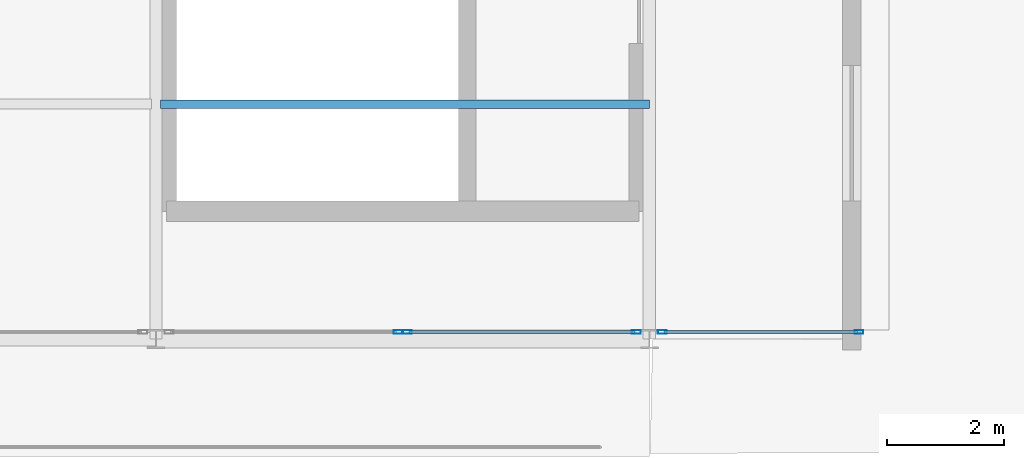
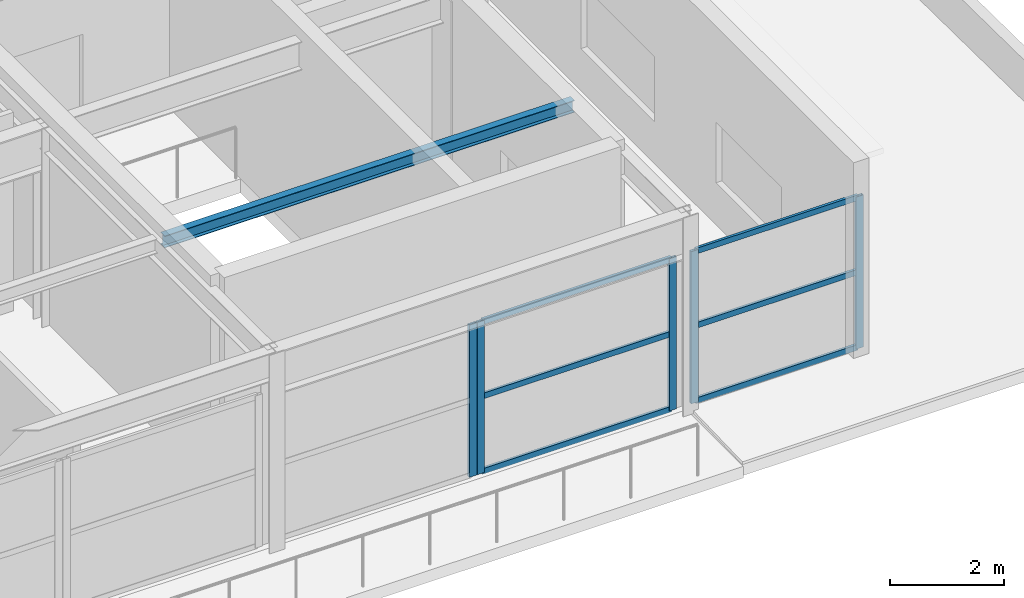
# One storey, part 62 of 123: 11 members, 1 beam, 3 elements without a shape of their own.
"""IFC4 building model written with IfcOpenShell, lengths in metres."""

from ifc_helpers import new_model, si_unit, direction, frame, origin, origin_2d, place, context, subcontext, project, spatial, hollow_rectangle, i_section, extrude, material, layer, layer_set, material_profile, profile_set, type_object, element, aggregate, save


model = new_model("IFC4")

# Units and contexts
model_context = context("Model", 3, precision=1e-05, world=origin(), true_north=direction((0.0, 1.0)))
body_context = subcontext(model_context, "Body", "Model", "MODEL_VIEW")
ifc_project = project(units=[si_unit("LENGTHUNIT", "METRE"), si_unit("AREAUNIT", "SQUARE_METRE"), si_unit("VOLUMEUNIT", "CUBIC_METRE"), si_unit("PLANEANGLEUNIT", "RADIAN"), si_unit("MASSUNIT", "GRAM", prefix="KILO")], contexts=[model_context])

# Site, building, storey
site_placement = place(None, origin())
site = spatial("IfcSite", under=ifc_project, at=site_placement, CompositionType="ELEMENT")
building_placement = place(site_placement, origin())
building = spatial("IfcBuilding", under=site, at=building_placement, Name="Kalgoora Escarpment Arena", CompositionType="ELEMENT")
storey_placement = place(building_placement, frame((0.0, 0.0, 9.89990234375)))
storey = spatial("IfcBuildingStorey", under=building, at=storey_placement, Name="L02", CompositionType="ELEMENT", Elevation=9.89990234375)

# Beam
ifc_material_1 = material(Name="Structural steel AS/NZS 3679 (300 MPa)", Category="steel")
ifc_material_profile_1 = material_profile(ifc_material_1, i_section(OverallWidth=0.14599609375, OverallDepth=0.256103515625, WebThickness=0.00634765625, FlangeThickness=0.010986328125, at=origin_2d()))
ifc_profile_set_1 = profile_set([ifc_material_profile_1], Name="Structural steel AS/NZS 3679 (300 MPa)")
beam_type = type_object("IfcBeamType", Name="BM-JOIST-250UB37.3", PredefinedType="JOIST", material=ifc_profile_set_1)
beam_placement = place(storey_placement, frame((159.677978515625, 12.0, 4.132080078125), z_axis=(1.0, 0.0, 0.0), x_axis=(0.0, 1.0, 0.0)))
element("IfcBeam", 1, at=beam_placement, inside=storey, type_object=beam_type, Name="L02 Secondary composite floor joist 250UB37.3", PredefinedType="JOIST", context=body_context, shape_type="SweptSolid", body=[
    extrude(i_section(OverallWidth=0.14599609375, OverallDepth=0.256103515625, WebThickness=0.00634765625, FlangeThickness=0.010986328125, at=origin_2d()), origin(), (0.0, 0.0, 1.0), 8.322021484375),
])

# Curtain wall, members
ifc_material_2 = material(Name=" Champagne anodised aluminium & double-glazed low-E", Category="aluminium")
ifc_layer_1 = layer(ifc_material_2, 0.157958984375)
ifc_layer_set_1 = layer_set([ifc_layer_1], Name="CW-UNIT-12")
curtain_wall_type_1 = type_object("IfcCurtainWallType", Name="CW-UNIT-12", PredefinedType="NOTDEFINED", material=ifc_layer_set_1)
curtain_wall_1_placement = place(storey_placement, origin())
curtain_wall_1 = element("IfcCurtainWall", 2, at=curtain_wall_1_placement, inside=storey, type_object=curtain_wall_type_1, Name="L02 unitised facade curtain wall 091", PredefinedType="NOTDEFINED")
ifc_material_3 = material(Name="Anodised aluminium 6063-T6", Category="aluminium")
ifc_material_profile_2 = material_profile(ifc_material_3, hollow_rectangle(XDim=0.06005859375, YDim=0.14990234375, WallThickness=0.00341796875, at=origin_2d()))
ifc_profile_set_2 = profile_set([ifc_material_profile_2], Name="Anodised aluminium 6063-T6")
member_type_1 = type_object("IfcMemberType", Name="MEM-CW-MULL-150", PredefinedType="MULLION", material=ifc_profile_set_2)
member_1_placement = place(storey_placement, frame((171.570068359375, 8.1201171875, 0.02001953125), z_axis=(0.0, 0.0, 1.0), x_axis=(0.0, -1.0, 0.0)))
member_1 = element("IfcMember", 3, at=member_1_placement, type_object=member_type_1, Name="CW-12 mullion 1", PredefinedType="MULLION", context=body_context, shape_type="SweptSolid", body=[
    extrude(hollow_rectangle(XDim=0.06005859375, YDim=0.14990234375, WallThickness=0.00341796875, at=origin_2d()), origin(), (0.0, 0.0, 1.0), 3.26513671875),
])
member_2_placement = place(storey_placement, frame((168.220703125, 8.1201171875, 0.02001953125), z_axis=(0.0, 0.0, 1.0), x_axis=(0.0, -1.0, 0.0)))
member_2 = element("IfcMember", 4, at=member_2_placement, type_object=member_type_1, Name="CW-12 mullion 2", PredefinedType="MULLION", context=body_context, shape_type="SweptSolid", body=[
    extrude(hollow_rectangle(XDim=0.06005859375, YDim=0.14990234375, WallThickness=0.00341796875, at=origin_2d()), origin(), (0.0, 0.0, 1.0), 3.26513671875),
])

ifc_material_4 = material(Name=" Champagne anodised aluminium & double-glazed low-E", Category="aluminium")
ifc_layer_2 = layer(ifc_material_4, 0.162109375)
ifc_layer_set_2 = layer_set([ifc_layer_2], Name="CW-UNIT-13")
curtain_wall_type_2 = type_object("IfcCurtainWallType", Name="CW-UNIT-13", PredefinedType="NOTDEFINED", material=ifc_layer_set_2)
curtain_wall_2_placement = place(storey_placement, origin())
curtain_wall_2 = element("IfcCurtainWall", 5, at=curtain_wall_2_placement, inside=storey, type_object=curtain_wall_type_2, Name="L02 unitised facade curtain wall 092", PredefinedType="NOTDEFINED")
member_3_placement = place(storey_placement, frame((167.779296875, 8.1201171875, 0.02001953125), z_axis=(0.0, 0.0, 1.0), x_axis=(0.0, -1.0, 0.0)))
member_3 = element("IfcMember", 6, at=member_3_placement, type_object=member_type_1, Name="CW-13 mullion 1", PredefinedType="MULLION", context=body_context, shape_type="SweptSolid", body=[
    extrude(hollow_rectangle(XDim=0.06005859375, YDim=0.14990234375, WallThickness=0.00341796875, at=origin_2d()), origin(), (0.0, 0.0, 1.0), 3.26513671875),
])
member_4_placement = place(storey_placement, frame((163.881591796875, 8.1201171875, 0.02001953125), z_axis=(0.0, 0.0, 1.0), x_axis=(0.0, -1.0, 0.0)))
member_4 = element("IfcMember", 7, at=member_4_placement, type_object=member_type_1, Name="CW-13 mullion 2", PredefinedType="MULLION", context=body_context, shape_type="SweptSolid", body=[
    extrude(hollow_rectangle(XDim=0.06005859375, YDim=0.14990234375, WallThickness=0.00341796875, at=origin_2d()), origin(), (0.0, 0.0, 1.0), 3.26513671875),
])

# Curtain wall, member
ifc_material_5 = material(Name=" Champagne anodised aluminium & double-glazed low-E", Category="aluminium")
ifc_layer_3 = layer(ifc_material_5, 0.166015625)
ifc_layer_set_3 = layer_set([ifc_layer_3], Name="CW-UNIT-14")
curtain_wall_type_3 = type_object("IfcCurtainWallType", Name="CW-UNIT-14", PredefinedType="NOTDEFINED", material=ifc_layer_set_3)
curtain_wall_3_placement = place(storey_placement, origin())
curtain_wall_3 = element("IfcCurtainWall", 8, at=curtain_wall_3_placement, inside=storey, type_object=curtain_wall_type_3, Name="L02 unitised facade curtain wall 093", PredefinedType="NOTDEFINED")
member_5_placement = place(storey_placement, frame((163.7216796875, 8.1201171875, 0.02001953125), z_axis=(0.0, 0.0, 1.0), x_axis=(0.0, -1.0, 0.0)))
member_5 = element("IfcMember", 9, at=member_5_placement, type_object=member_type_1, Name="CW-14 mullion 1", PredefinedType="MULLION", context=body_context, shape_type="SweptSolid", body=[
    extrude(hollow_rectangle(XDim=0.06005859375, YDim=0.14990234375, WallThickness=0.00341796875, at=origin_2d()), origin(), (0.0, 0.0, 1.0), 3.26513671875),
])
aggregate(curtain_wall_3, [member_5])

# Member
ifc_material_6 = material(Name="Anodised aluminium 6063-T6", Category="aluminium")
ifc_material_profile_3 = material_profile(ifc_material_6, hollow_rectangle(XDim=0.054931640625, YDim=0.1201171875, WallThickness=0.003173828125, at=origin_2d()))
ifc_profile_set_3 = profile_set([ifc_material_profile_3], Name="Anodised aluminium 6063-T6")
member_type_2 = type_object("IfcMemberType", Name="MEM-CW-TRAN-120", PredefinedType="USERDEFINED", material=ifc_profile_set_3)
member_6_placement = place(storey_placement, frame((171.5400390625, 8.1201171875, 0.047607421875), z_axis=(-1.0, 0.0, 0.0), x_axis=(0.0, -1.0, 0.0)))
member_6 = element("IfcMember", 10, at=member_6_placement, type_object=member_type_2, Name="CW-12 transom 1.1", ObjectType="TRANSOM", PredefinedType="USERDEFINED", context=body_context, shape_type="SweptSolid", body=[
    extrude(hollow_rectangle(XDim=0.054931640625, YDim=0.1201171875, WallThickness=0.003173828125, at=origin_2d()), origin(), (0.0, 0.0, 1.0), 3.289306640625),
])

member_7_placement = place(storey_placement, frame((171.5400390625, 8.1201171875, 1.66259765625), z_axis=(-1.0, 0.0, 0.0), x_axis=(0.0, -1.0, 0.0)))
member_7 = element("IfcMember", 11, at=member_7_placement, type_object=member_type_2, Name="CW-12 transom 1.2", ObjectType="TRANSOM", PredefinedType="USERDEFINED", context=body_context, shape_type="SweptSolid", body=[
    extrude(hollow_rectangle(XDim=0.054931640625, YDim=0.1201171875, WallThickness=0.003173828125, at=origin_2d()), origin(), (0.0, 0.0, 1.0), 3.289306640625),
])

member_8_placement = place(storey_placement, frame((171.5400390625, 8.1201171875, 3.257568359375), z_axis=(-1.0, 0.0, 0.0), x_axis=(0.0, -1.0, 0.0)))
member_8 = element("IfcMember", 12, at=member_8_placement, type_object=member_type_2, Name="CW-12 transom 1.3", ObjectType="TRANSOM", PredefinedType="USERDEFINED", context=body_context, shape_type="SweptSolid", body=[
    extrude(hollow_rectangle(XDim=0.054931640625, YDim=0.1201171875, WallThickness=0.003173828125, at=origin_2d()), origin(), (0.0, 0.0, 1.0), 3.289306640625),
])

aggregate(curtain_wall_1, [member_1, member_2, member_6, member_7, member_8])

member_9_placement = place(storey_placement, frame((167.749267578125, 8.1201171875, 0.047607421875), z_axis=(-1.0, 0.0, 0.0), x_axis=(0.0, -1.0, 0.0)))
member_9 = element("IfcMember", 13, at=member_9_placement, type_object=member_type_2, Name="CW-13 transom 1.1", ObjectType="TRANSOM", PredefinedType="USERDEFINED", context=body_context, shape_type="SweptSolid", body=[
    extrude(hollow_rectangle(XDim=0.054931640625, YDim=0.1201171875, WallThickness=0.003173828125, at=origin_2d()), origin(), (0.0, 0.0, 1.0), 3.837646484375),
])

member_10_placement = place(storey_placement, frame((167.749267578125, 8.1201171875, 1.66259765625), z_axis=(-1.0, 0.0, 0.0), x_axis=(0.0, -1.0, 0.0)))
member_10 = element("IfcMember", 14, at=member_10_placement, type_object=member_type_2, Name="CW-13 transom 1.2", ObjectType="TRANSOM", PredefinedType="USERDEFINED", context=body_context, shape_type="SweptSolid", body=[
    extrude(hollow_rectangle(XDim=0.054931640625, YDim=0.1201171875, WallThickness=0.003173828125, at=origin_2d()), origin(), (0.0, 0.0, 1.0), 3.837646484375),
])

member_11_placement = place(storey_placement, frame((167.749267578125, 8.1201171875, 3.257568359375), z_axis=(-1.0, 0.0, 0.0), x_axis=(0.0, -1.0, 0.0)))
member_11 = element("IfcMember", 15, at=member_11_placement, type_object=member_type_2, Name="CW-13 transom 1.3", ObjectType="TRANSOM", PredefinedType="USERDEFINED", context=body_context, shape_type="SweptSolid", body=[
    extrude(hollow_rectangle(XDim=0.054931640625, YDim=0.1201171875, WallThickness=0.003173828125, at=origin_2d()), origin(), (0.0, 0.0, 1.0), 3.837646484375),
])

aggregate(curtain_wall_2, [member_3, member_4, member_9, member_10, member_11])

save(model, "model.ifc")
